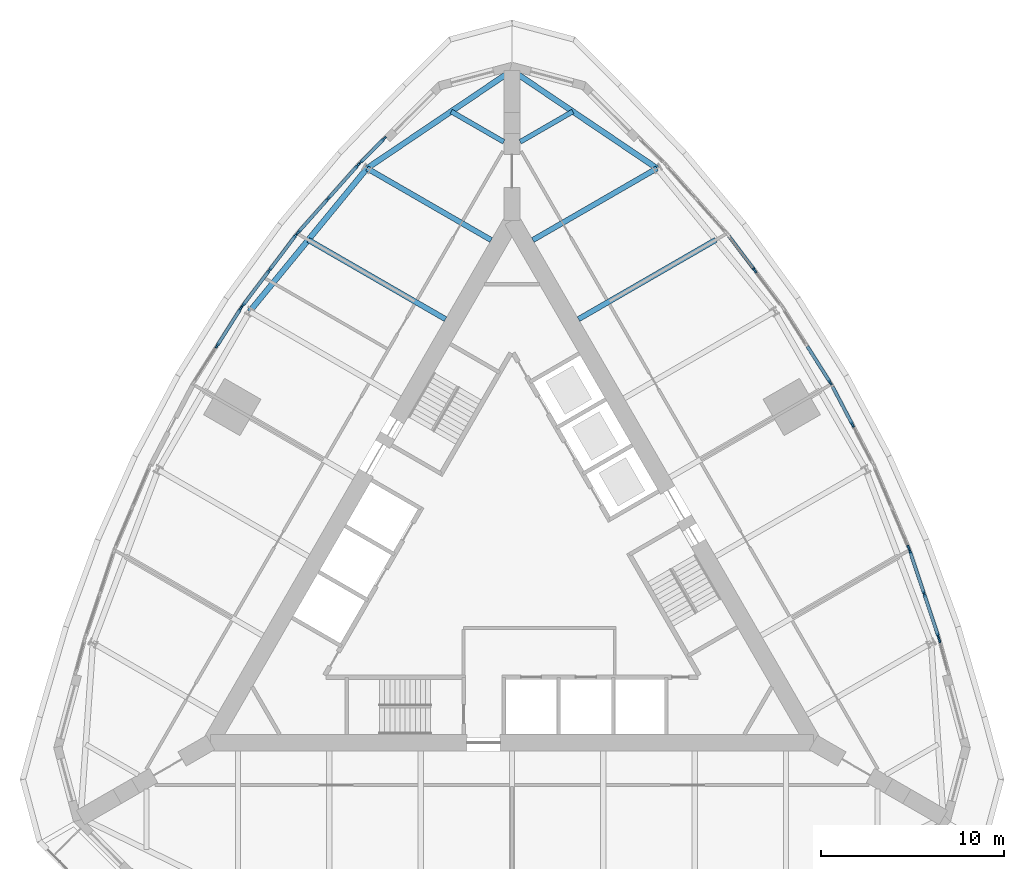
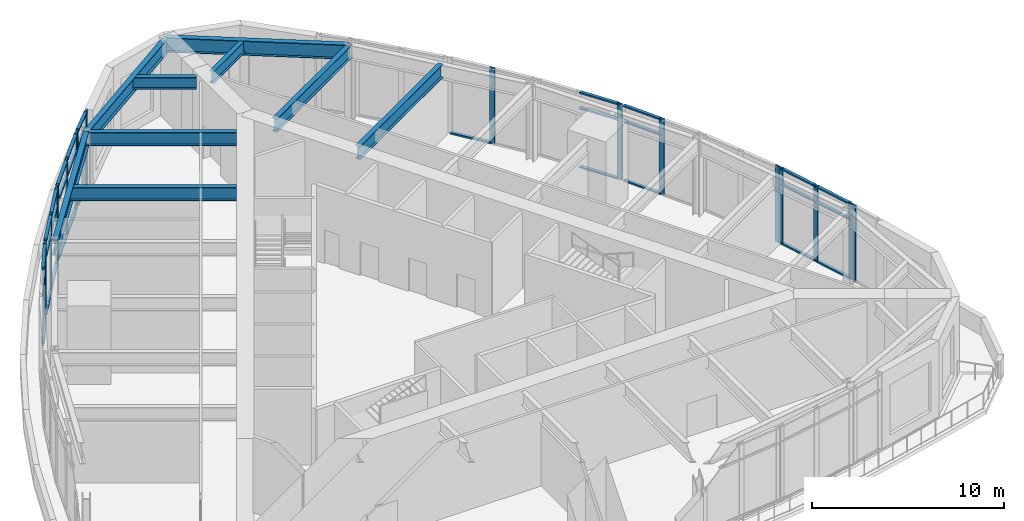
# One storey, part 4 of 13: 49 members, 9 beams, 10 elements without a shape of their own.
"""IFC4 building model written with IfcOpenShell, lengths in metres."""

import ifcopenshell
import ifcopenshell.guid

model = None  # the IFC model being written
_history = None  # IfcOwnerHistory: only IFC2X3 demands one
_inside = {}  # id of a spatial element -> (the spatial element, [elements in it])
_under = {}  # id of a project, library or spatial element -> (it, [spatial elements below it])
_declared = {}  # id of a project -> (the project, [libraries it declares])
_typed = {}  # id of a type object -> (the type object, [elements of that type])
_made_of = {}  # id of a material, layer set ... -> (it, [elements and type objects made of it])


def new_model(schema):
    """Start an empty IFC model of exactly this schema.

    Asked for "IFC4X3", IfcOpenShell would pick the latest addendum, in which some entities
    have other attributes; the version numbers below select the first issue.
    IFC2X3 requires an IfcOwnerHistory on every rooted entity: one is made here for all.
    """
    global model, _history
    if schema == "IFC4X3":
        model = ifcopenshell.file(schema_version=(4, 3, 0, 0))
    else:
        model = ifcopenshell.file(schema=schema)
    _inside.clear()
    _under.clear()
    _declared.clear()
    _typed.clear()
    _made_of.clear()
    _history = None
    if model.schema == "IFC2X3":
        org = make("IfcOrganization", Name="unknown")
        user = make(
            "IfcPersonAndOrganization",
            ThePerson=make("IfcPerson", FamilyName="unknown"),
            TheOrganization=org,
        )
        app = make(
            "IfcApplication",
            ApplicationDeveloper=org,
            Version="unknown",
            ApplicationFullName="unknown",
            ApplicationIdentifier="unknown",
        )
        _history = make(
            "IfcOwnerHistory",
            OwningUser=user,
            OwningApplication=app,
            ChangeAction="ADDED",
            CreationDate=0,
        )
    return model


def make(cls, **values):
    """One entity of the class cls with the attributes given. An attribute that is None is left unset."""
    return model.create_entity(
        cls, **{name: value for name, value in values.items() if value is not None}
    )


def rooted(cls, **values):
    """An entity with a GlobalId (a new one), such as an element, a storey or a relation."""
    return make(cls, GlobalId=ifcopenshell.guid.new(), OwnerHistory=_history, **values)


def si_unit(unit_type, name, prefix=None):
    """IfcSIUnit, for example si_unit("LENGTHUNIT", "METRE", prefix="MILLI")."""
    return make("IfcSIUnit", UnitType=unit_type, Prefix=prefix, Name=name)


def assignment(units):
    """IfcUnitAssignment: the units of a project."""
    return None if units is None else make("IfcUnitAssignment", Units=units)


def point(xyz):
    """IfcCartesianPoint."""
    return None if xyz is None else make("IfcCartesianPoint", Coordinates=xyz)


def direction(xyz):
    """IfcDirection."""
    return None if xyz is None else make("IfcDirection", DirectionRatios=xyz)


def frame(location, z_axis=None, x_axis=None):
    """IfcAxis2Placement3D, a coordinate frame: its origin and axes. An axis left out is left unset."""
    return make(
        "IfcAxis2Placement3D",
        Location=point(location),
        Axis=direction(z_axis),
        RefDirection=direction(x_axis),
    )


def frame_2d(location, x_axis=None):
    """IfcAxis2Placement2D, a coordinate frame in the plane: its origin and x axis."""
    return make(
        "IfcAxis2Placement2D", Location=point(location), RefDirection=direction(x_axis)
    )


def origin():
    """The frame at (0, 0, 0) with its axes left unset."""
    return frame((0.0, 0.0, 0.0))


def origin_2d():
    """The frame at (0, 0) in the plane with its x axis left unset."""
    return frame_2d((0.0, 0.0))


def place(relative_to, where):
    """IfcLocalPlacement: puts the frame where relative to a parent placement (None: the world)."""
    return make(
        "IfcLocalPlacement", PlacementRelTo=relative_to, RelativePlacement=where
    )


def context(
    kind, dimensions, precision=None, world=None, true_north=None, identifier=None
):
    """IfcGeometricRepresentationContext, for example the 3D "Model" context."""
    return make(
        "IfcGeometricRepresentationContext",
        ContextIdentifier=identifier,
        ContextType=kind,
        CoordinateSpaceDimension=dimensions,
        Precision=precision,
        WorldCoordinateSystem=world,
        TrueNorth=true_north,
    )


def subcontext(parent, identifier, kind, view, scale=None):
    """IfcGeometricRepresentationSubContext, for example "Body" below "Model"."""
    return make(
        "IfcGeometricRepresentationSubContext",
        ContextIdentifier=identifier,
        ContextType=kind,
        ParentContext=parent,
        TargetScale=scale,
        TargetView=view,
    )


def project(units=None, contexts=None):
    """IfcProject with its units and contexts."""
    return rooted(
        "IfcProject",
        Name="project",
        RepresentationContexts=contexts,
        UnitsInContext=assignment(units),
    )


def spatial(cls, under=None, at=None, **own):
    """A site, building, storey or space (cls), placed at a placement, below another one or the project."""
    s = rooted(cls, ObjectPlacement=at, **own)
    if under is not None:
        _under.setdefault(under.id(), (under, []))[1].append(s)
    return s


def profile(cls, at=None, kind="AREA", **sizes):
    """A parametric profile (cls). Its sizes go by their IFC names, for example OverallWidth=200.0."""
    return make(cls, ProfileType=kind, Position=at, **sizes)


def rectangle(**sizes):
    """IfcRectangleProfileDef."""
    return profile("IfcRectangleProfileDef", **sizes)


def i_section(**sizes):
    """IfcIShapeProfileDef."""
    return profile("IfcIShapeProfileDef", **sizes)


def extrude(swept, where, along, depth):
    """IfcExtrudedAreaSolid: the profile swept, set in the frame where, extruded along a direction by depth."""
    return make(
        "IfcExtrudedAreaSolid",
        SweptArea=swept,
        Position=where,
        ExtrudedDirection=direction(along),
        Depth=depth,
    )


def shape(context_of_items, identifier, shape_type, items):
    """IfcShapeRepresentation: the items that make up one representation, for example the "Body"."""
    return make(
        "IfcShapeRepresentation",
        ContextOfItems=context_of_items,
        RepresentationIdentifier=identifier,
        RepresentationType=shape_type,
        Items=items,
    )


def material(Name=None, Category=None):
    """IfcMaterial."""
    return make("IfcMaterial", Name=Name, Category=Category)


def material_profile(
    of_material, cross_section, Name=None, Category=None, Priority=None
):
    """IfcMaterialProfile: a cross section and its material."""
    return make(
        "IfcMaterialProfile",
        Name=Name,
        Material=of_material,
        Profile=cross_section,
        Priority=Priority,
        Category=Category,
    )


def profile_set(profiles, Name=None, composite=None):
    """IfcMaterialProfileSet."""
    return make(
        "IfcMaterialProfileSet",
        Name=Name,
        MaterialProfiles=profiles,
        CompositeProfile=composite,
    )


def made_of(thing, what):
    """Note that an element or type object is made of a material, layer set ...; save() writes the relation."""
    if what is not None:
        _made_of.setdefault(what.id(), (what, []))[1].append(thing)
    return thing


def type_object(cls, material=None, **own):
    """A type object (cls), such as IfcWallType, which elements share."""
    return made_of(rooted(cls, **own), material)


def element(
    cls,
    number,
    at=None,
    inside=None,
    cuts=None,
    type_object=None,
    material=None,
    context=None,
    identifier="Body",
    shape_type=None,
    held_by="IfcProductDefinitionShape",
    body=None,
    shapes=None,
    **own,
):
    """One element of the class cls, such as IfcWall. Its Tag is "e" and its number.

    at: its placement. inside: the storey or other place that contains it. cuts: it is an
    opening in that element (IfcRelVoidsElement). A single representation is given by context,
    identifier, shape_type and body (its items); several are given by shapes. held_by: the class
    of the entity that holds the representations. save() writes the other relations.
    """
    e = rooted(cls, Tag="e%d" % number, ObjectPlacement=at, **own)
    if body is not None:
        shapes = [shape(context, identifier, shape_type, body)]
    if shapes is not None:
        e.Representation = make(held_by, Representations=shapes)
    if inside is not None:
        _inside.setdefault(inside.id(), (inside, []))[1].append(e)
    if cuts is not None:
        rooted(
            "IfcRelVoidsElement", RelatingBuildingElement=cuts, RelatedOpeningElement=e
        )
    if type_object is not None:
        _typed.setdefault(type_object.id(), (type_object, []))[1].append(e)
    return made_of(e, material)


def aggregate(whole, parts):
    """IfcRelAggregates: a whole, such as a stair, and the parts it consists of."""
    return rooted("IfcRelAggregates", RelatingObject=whole, RelatedObjects=parts)


def save(model, path):
    """Write the relations noted so far, then the file.

    IfcRelAggregates (storeys below a building ...), IfcRelContainedInSpatialStructure (elements
    in a storey), IfcRelDefinesByType, IfcRelAssociatesMaterial and IfcRelDeclares: one each for
    every whole, place, type object, material and project.
    """
    for whole, parts in _under.values():
        aggregate(whole, parts)
    for where, things in _inside.values():
        rooted(
            "IfcRelContainedInSpatialStructure",
            RelatedElements=things,
            RelatingStructure=where,
        )
    for kind, things in _typed.values():
        rooted("IfcRelDefinesByType", RelatedObjects=things, RelatingType=kind)
    for what, things in _made_of.values():
        rooted("IfcRelAssociatesMaterial", RelatedObjects=things, RelatingMaterial=what)
    for by, libraries in _declared.values():
        rooted("IfcRelDeclares", RelatingContext=by, RelatedDefinitions=libraries)
    model.write(path)


model = new_model("IFC4")

# Units and contexts
model_context = context("Model", 3, precision=1e-05, world=origin(), true_north=direction((0.0, 1.0)))
body_context = subcontext(model_context, "Body", "Model", "MODEL_VIEW")
ifc_project = project(units=[si_unit("LENGTHUNIT", "METRE"), si_unit("AREAUNIT", "SQUARE_METRE"), si_unit("VOLUMEUNIT", "CUBIC_METRE"), si_unit("PLANEANGLEUNIT", "RADIAN"), si_unit("MASSUNIT", "GRAM", prefix="KILO")], contexts=[model_context])

# Site, building, storey
site_placement = place(None, origin())
site = spatial("IfcSite", under=ifc_project, at=site_placement, CompositionType="ELEMENT")
building_placement = place(site_placement, origin())
building = spatial("IfcBuilding", under=site, at=building_placement, Name="Trikona Tower", CompositionType="ELEMENT")
storey_placement = place(building_placement, frame((0.0, 0.0, 195.89990234375)))
storey = spatial("IfcBuildingStorey", under=building, at=storey_placement, Name="L52", CompositionType="ELEMENT", Elevation=195.89990234375)

# Curtain wall, member
ifc_material_1 = material(Name="Aluminium curtain wall system", Category="aluminium")
curtain_wall_type = type_object("IfcCurtainWallType", Name="Curtain wall SL", PredefinedType="NOTDEFINED", material=ifc_material_1)
curtain_wall_1_placement = place(storey_placement, origin())
curtain_wall_1 = element("IfcCurtainWall", 1, at=curtain_wall_1_placement, inside=storey, type_object=curtain_wall_type, Name="Curtain wall SL L52", PredefinedType="NOTDEFINED")
ifc_material_2 = material(Name="Aluminium mullion, pale anodised", Category="aluminium")
ifc_material_profile_1 = material_profile(ifc_material_2, rectangle(XDim=0.10009765625, YDim=0.300048828125, at=origin_2d()), Name="MUL-SL")
ifc_profile_set_1 = profile_set([ifc_material_profile_1], Name="Aluminium mullion, pale anodised")
member_type_1 = type_object("IfcMemberType", Name="Mullion SL 100x300", PredefinedType="MULLION", material=ifc_profile_set_1)
member_1_placement = place(storey_placement, frame((23.388916015625, -3.910400390625, 0.0), z_axis=(0.0, 0.0, 1.0), x_axis=(-0.964851419019, -0.262796003047, 0.0)))
member_1 = element("IfcMember", 2, at=member_1_placement, type_object=member_type_1, Name="CW-SL mullion 2", PredefinedType="MULLION", context=body_context, shape_type="SweptSolid", body=[
    extrude(rectangle(XDim=0.10009765625, YDim=0.300048828125, at=origin_2d()), origin(), (0.0, 0.0, 1.0), 4.835205078125),
])
aggregate(curtain_wall_1, [member_1])

# Curtain wall, members
curtain_wall_2_placement = place(storey_placement, origin())
curtain_wall_2 = element("IfcCurtainWall", 3, at=curtain_wall_2_placement, inside=storey, type_object=curtain_wall_type, Name="Curtain wall SL L52", PredefinedType="NOTDEFINED")
member_2_placement = place(storey_placement, frame((23.326904296875, -3.705078125, 0.0), z_axis=(0.0, 0.0, 1.0), x_axis=(-0.94905976774, -0.31509610797, 0.0)))
member_2 = element("IfcMember", 4, at=member_2_placement, type_object=member_type_1, Name="CW-SL mullion 1", PredefinedType="MULLION", context=body_context, shape_type="SweptSolid", body=[
    extrude(rectangle(XDim=0.10009765625, YDim=0.300048828125, at=origin_2d()), origin(), (0.0, 0.0, 1.0), 4.835205078125),
])
member_3_placement = place(storey_placement, frame((22.55712890625, -1.386962890625, 0.0), z_axis=(0.0, 0.0, 1.0), x_axis=(-0.94905976774, -0.31509610797, 0.0)))
member_3 = element("IfcMember", 5, at=member_3_placement, type_object=member_type_1, Name="CW-SL mullion 2", PredefinedType="MULLION", context=body_context, shape_type="SweptSolid", body=[
    extrude(rectangle(XDim=0.10009765625, YDim=0.300048828125, at=origin_2d()), origin(), (0.0, 0.0, 1.0), 4.835205078125),
])
member_4_placement = place(storey_placement, frame((21.78759765625, 0.930908203125, 0.0), z_axis=(0.0, 0.0, 1.0), x_axis=(-0.94905976774, -0.31509610797, 0.0)))
member_4 = element("IfcMember", 6, at=member_4_placement, type_object=member_type_1, Name="CW-SL mullion 3", PredefinedType="MULLION", context=body_context, shape_type="SweptSolid", body=[
    extrude(rectangle(XDim=0.10009765625, YDim=0.300048828125, at=origin_2d()), origin(), (0.0, 0.0, 1.0), 4.835205078125),
])

# Curtain wall, member
curtain_wall_3_placement = place(storey_placement, origin())
curtain_wall_3 = element("IfcCurtainWall", 7, at=curtain_wall_3_placement, inside=storey, type_object=curtain_wall_type, Name="Curtain wall SL L52", PredefinedType="NOTDEFINED")
member_5_placement = place(storey_placement, frame((21.712890625, 1.129150390625, 0.0), z_axis=(0.0, 0.0, 1.0), x_axis=(-0.920792322808, -0.390053199266, 0.0)))
member_5 = element("IfcMember", 8, at=member_5_placement, type_object=member_type_1, Name="CW-SL mullion 1", PredefinedType="MULLION", context=body_context, shape_type="SweptSolid", body=[
    extrude(rectangle(XDim=0.10009765625, YDim=0.300048828125, at=origin_2d()), origin(), (0.0, 0.0, 1.0), 4.835205078125),
])
aggregate(curtain_wall_3, [member_5])

curtain_wall_4_placement = place(storey_placement, origin())
curtain_wall_4 = element("IfcCurtainWall", 9, at=curtain_wall_4_placement, inside=storey, type_object=curtain_wall_type, Name="Curtain wall SL L52", PredefinedType="NOTDEFINED")
member_6_placement = place(storey_placement, frame((18.63330078125, 7.8759765625, 0.0), z_axis=(0.0, 0.0, 1.0), x_axis=(-0.885862390527, -0.463948084434, 0.0)))
member_6 = element("IfcMember", 10, at=member_6_placement, type_object=member_type_1, Name="CW-SL mullion 2", PredefinedType="MULLION", context=body_context, shape_type="SweptSolid", body=[
    extrude(rectangle(XDim=0.10009765625, YDim=0.300048828125, at=origin_2d()), origin(), (0.0, 0.0, 1.0), 4.835205078125),
])

curtain_wall_5_placement = place(storey_placement, origin())
curtain_wall_5 = element("IfcCurtainWall", 11, at=curtain_wall_5_placement, inside=storey, type_object=curtain_wall_type, Name="Curtain wall SL L52", PredefinedType="NOTDEFINED")
member_7_placement = place(storey_placement, frame((17.417724609375, 10.17822265625, 0.0), z_axis=(0.0, 0.0, 1.0), x_axis=(-0.84471787551, -0.535211837308, 0.0)))
member_7 = element("IfcMember", 12, at=member_7_placement, type_object=member_type_1, Name="CW-SL mullion 1", PredefinedType="MULLION", context=body_context, shape_type="SweptSolid", body=[
    extrude(rectangle(XDim=0.10009765625, YDim=0.300048828125, at=origin_2d()), origin(), (0.0, 0.0, 1.0), 4.835205078125),
])

curtain_wall_6_placement = place(storey_placement, origin())
curtain_wall_6 = element("IfcCurtainWall", 13, at=curtain_wall_6_placement, inside=storey, type_object=curtain_wall_type, Name="Curtain wall SL L52", PredefinedType="NOTDEFINED")
member_8_placement = place(storey_placement, frame((13.285400390625, 16.316650390625, 0.0), z_axis=(0.0, 0.0, 1.0), x_axis=(-0.798193208724, -0.602401528506, 0.0)))
member_8 = element("IfcMember", 14, at=member_8_placement, type_object=member_type_1, Name="CW-SL mullion 2", PredefinedType="MULLION", context=body_context, shape_type="SweptSolid", body=[
    extrude(rectangle(XDim=0.10009765625, YDim=0.300048828125, at=origin_2d()), origin(), (0.0, 0.0, 1.0), 4.835205078125),
])

# Curtain wall, members
curtain_wall_7_placement = place(storey_placement, origin())
curtain_wall_7 = element("IfcCurtainWall", 15, at=curtain_wall_7_placement, inside=storey, type_object=curtain_wall_type, Name="Curtain wall SL L52", PredefinedType="NOTDEFINED")
member_9_placement = place(storey_placement, frame((-7.00634765625, 23.52294921875, 0.0), z_axis=(0.0, 0.0, 1.0), x_axis=(0.710051900554, -0.704149343903, 0.0)))
member_9 = element("IfcMember", 16, at=member_9_placement, type_object=member_type_1, Name="CW-SL mullion 1", PredefinedType="MULLION", context=body_context, shape_type="SweptSolid", body=[
    extrude(rectangle(XDim=0.10009765625, YDim=0.300048828125, at=origin_2d()), origin(), (0.0, 0.0, 1.0), 4.835205078125),
])
member_10_placement = place(storey_placement, frame((-8.307861328125, 22.21044921875, 0.0), z_axis=(0.0, 0.0, 1.0), x_axis=(0.710051900554, -0.704149343903, 0.0)))
member_10 = element("IfcMember", 17, at=member_10_placement, type_object=member_type_1, Name="CW-SL mullion 2", PredefinedType="MULLION", context=body_context, shape_type="SweptSolid", body=[
    extrude(rectangle(XDim=0.10009765625, YDim=0.300048828125, at=origin_2d()), origin(), (0.0, 0.0, 1.0), 4.835205078125),
])

curtain_wall_8_placement = place(storey_placement, origin())
curtain_wall_8 = element("IfcCurtainWall", 18, at=curtain_wall_8_placement, inside=storey, type_object=curtain_wall_type, Name="Curtain wall SL L52", PredefinedType="NOTDEFINED")
member_11_placement = place(storey_placement, frame((-8.454833984375, 22.05419921875, 0.0), z_axis=(0.0, 0.0, 1.0), x_axis=(0.747402677853, -0.664371309689, 0.0)))
member_11 = element("IfcMember", 19, at=member_11_placement, type_object=member_type_1, Name="CW-SL mullion 1", PredefinedType="MULLION", context=body_context, shape_type="SweptSolid", body=[
    extrude(rectangle(XDim=0.10009765625, YDim=0.300048828125, at=origin_2d()), origin(), (0.0, 0.0, 1.0), 4.835205078125),
])
member_12_placement = place(storey_placement, frame((-10.077392578125, 20.228759765625, 0.0), z_axis=(0.0, 0.0, 1.0), x_axis=(0.747402677853, -0.664371309689, 0.0)))
member_12 = element("IfcMember", 20, at=member_12_placement, type_object=member_type_1, Name="CW-SL mullion 2", PredefinedType="MULLION", context=body_context, shape_type="SweptSolid", body=[
    extrude(rectangle(XDim=0.10009765625, YDim=0.300048828125, at=origin_2d()), origin(), (0.0, 0.0, 1.0), 4.835205078125),
])
member_13_placement = place(storey_placement, frame((-11.7001953125, 18.403076171875, 0.0), z_axis=(0.0, 0.0, 1.0), x_axis=(0.747402677853, -0.664371309689, 0.0)))
member_13 = element("IfcMember", 21, at=member_13_placement, type_object=member_type_1, Name="CW-SL mullion 3", PredefinedType="MULLION", context=body_context, shape_type="SweptSolid", body=[
    extrude(rectangle(XDim=0.10009765625, YDim=0.300048828125, at=origin_2d()), origin(), (0.0, 0.0, 1.0), 4.835205078125),
])

curtain_wall_9_placement = place(storey_placement, origin())
curtain_wall_9 = element("IfcCurtainWall", 22, at=curtain_wall_9_placement, inside=storey, type_object=curtain_wall_type, Name="Curtain wall SL L52", PredefinedType="NOTDEFINED")
member_14_placement = place(storey_placement, frame((-11.834228515625, 18.239501953125, 0.0), z_axis=(0.0, 0.0, 1.0), x_axis=(0.798193208724, -0.602401528506, 0.0)))
member_14 = element("IfcMember", 23, at=member_14_placement, type_object=member_type_1, Name="CW-SL mullion 1", PredefinedType="MULLION", context=body_context, shape_type="SweptSolid", body=[
    extrude(rectangle(XDim=0.10009765625, YDim=0.300048828125, at=origin_2d()), origin(), (0.0, 0.0, 1.0), 4.835205078125),
])
member_15_placement = place(storey_placement, frame((-13.285400390625, 16.316650390625, 0.0), z_axis=(0.0, 0.0, 1.0), x_axis=(0.798193208724, -0.602401528506, 0.0)))
member_15 = element("IfcMember", 24, at=member_15_placement, type_object=member_type_1, Name="CW-SL mullion 2", PredefinedType="MULLION", context=body_context, shape_type="SweptSolid", body=[
    extrude(rectangle(XDim=0.10009765625, YDim=0.300048828125, at=origin_2d()), origin(), (0.0, 0.0, 1.0), 4.835205078125),
])
member_16_placement = place(storey_placement, frame((-14.736572265625, 14.393798828125, 0.0), z_axis=(0.0, 0.0, 1.0), x_axis=(0.798193208724, -0.602401528506, 0.0)))
member_16 = element("IfcMember", 25, at=member_16_placement, type_object=member_type_1, Name="CW-SL mullion 3", PredefinedType="MULLION", context=body_context, shape_type="SweptSolid", body=[
    extrude(rectangle(XDim=0.10009765625, YDim=0.300048828125, at=origin_2d()), origin(), (0.0, 0.0, 1.0), 4.835205078125),
])

curtain_wall_10_placement = place(storey_placement, origin())
curtain_wall_10 = element("IfcCurtainWall", 26, at=curtain_wall_10_placement, inside=storey, type_object=curtain_wall_type, Name="Curtain wall SL L52", PredefinedType="NOTDEFINED")
member_17_placement = place(storey_placement, frame((-14.857177734375, 14.2197265625, 0.0), z_axis=(0.0, 0.0, 1.0), x_axis=(0.84471787551, -0.535211837308, 0.0)))
member_17 = element("IfcMember", 27, at=member_17_placement, type_object=member_type_1, Name="CW-SL mullion 1", PredefinedType="MULLION", context=body_context, shape_type="SweptSolid", body=[
    extrude(rectangle(XDim=0.10009765625, YDim=0.300048828125, at=origin_2d()), origin(), (0.0, 0.0, 1.0), 4.835205078125),
])
member_18_placement = place(storey_placement, frame((-16.137451171875, 12.198974609375, 0.0), z_axis=(0.0, 0.0, 1.0), x_axis=(0.84471787551, -0.535211837308, 0.0)))
member_18 = element("IfcMember", 28, at=member_18_placement, type_object=member_type_1, Name="CW-SL mullion 2", PredefinedType="MULLION", context=body_context, shape_type="SweptSolid", body=[
    extrude(rectangle(XDim=0.10009765625, YDim=0.300048828125, at=origin_2d()), origin(), (0.0, 0.0, 1.0), 4.835205078125),
])

# Beams
ifc_material_3 = material(Name="Steel ASTM A992 Grade 50", Category="steel")
ifc_material_profile_2 = material_profile(ifc_material_3, i_section(OverallWidth=0.2666015625, OverallDepth=0.76953125, WebThickness=0.015625, FlangeThickness=0.025390625, at=origin_2d()), Name="W30X132")
ifc_profile_set_2 = profile_set([ifc_material_profile_2], Name="Steel ASTM A992 Grade 50")
beam_type_1 = type_object("IfcBeamType", Name="Steel beam W30x132 (wedge)", PredefinedType="BEAM", material=ifc_profile_set_2)
for number, where, z_axis, x_axis, name in (
    (29, (0.449951171875, 23.353759765625, 4.4501953125), (0.866019199568, 0.500010745865, 0.0), (-0.500010745865, 0.866019199568, 0.0), "Floor beam L53 F2 u20"),
    (30, (-0.449951171875, 23.353759765625, 4.4501953125), (-0.866019199568, 0.500010745865, 0.0), (-0.500010745865, -0.866019199568, 0.0), "Floor beam L53 F3 u-20"),
):
    element("IfcBeam", number, at=place(storey_placement, frame(where, z_axis=z_axis, x_axis=x_axis)), inside=storey, type_object=beam_type_1, Name=name, PredefinedType="BEAM", context=body_context, shape_type="SweptSolid", body=[
        extrude(i_section(OverallWidth=0.2666015625, OverallDepth=0.76953125, WebThickness=0.015625, FlangeThickness=0.025390625, at=origin_2d()), origin(), (0.0, 0.0, 1.0), 3.3232421875),
    ])
ifc_material_4 = material(Name="Steel ASTM A992 Grade 50", Category="steel")
ifc_material_profile_3 = material_profile(ifc_material_4, i_section(OverallWidth=0.2919921875, OverallDepth=0.845703125, WebThickness=0.015380859375, FlangeThickness=0.0244140625, at=origin_2d()), Name="W33X141")
ifc_profile_set_3 = profile_set([ifc_material_profile_3], Name="Steel ASTM A992 Grade 50")
beam_type_2 = type_object("IfcBeamType", Name="Steel beam W33x141 (radial typ)", PredefinedType="BEAM", material=ifc_profile_set_3)
beam_1_placement = place(storey_placement, frame((3.6396484375, 13.6484375, 4.412109375), z_axis=(0.866018686634, 0.500011634266, 0.0), x_axis=(-0.500011634266, 0.866018686634, 0.0)))
element("IfcBeam", 31, at=beam_1_placement, inside=storey, type_object=beam_type_2, Name="Floor beam L53 F2 u10", PredefinedType="BEAM", context=body_context, shape_type="SweptSolid", body=[
    extrude(i_section(OverallWidth=0.2919921875, OverallDepth=0.845703125, WebThickness=0.015380859375, FlangeThickness=0.0244140625, at=origin_2d()), origin(), (0.0, 0.0, 1.0), 8.672119140625),
])
for number, where, z_axis, x_axis, name in (
    (32, (1.1396484375, 17.978515625, 4.412109375), (0.866025522914, 0.499999793661, 0.0), (-0.499999793661, 0.866025522914, 0.0), "Floor beam L53 F2 u15"),
    (33, (-1.1396484375, 17.978515625, 4.412109375), (-0.866025522914, 0.499999793661, 0.0), (-0.499999793661, -0.866025522914, 0.0), "Floor beam L53 F3 u-15"),
):
    element("IfcBeam", number, at=place(storey_placement, frame(where, z_axis=z_axis, x_axis=x_axis)), inside=storey, type_object=beam_type_2, Name=name, PredefinedType="BEAM", context=body_context, shape_type="SweptSolid", body=[
        extrude(i_section(OverallWidth=0.2919921875, OverallDepth=0.845703125, WebThickness=0.015380859375, FlangeThickness=0.0244140625, at=origin_2d()), origin(), (0.0, 0.0, 1.0), 7.8486328125),
    ])
beam_2_placement = place(storey_placement, frame((-3.6396484375, 13.6484375, 4.412109375), z_axis=(-0.866018686634, 0.500011634266, 0.0), x_axis=(-0.500011634266, -0.866018686634, 0.0)))
element("IfcBeam", 34, at=beam_2_placement, inside=storey, type_object=beam_type_2, Name="Floor beam L53 F3 u-10", PredefinedType="BEAM", context=body_context, shape_type="SweptSolid", body=[
    extrude(i_section(OverallWidth=0.2919921875, OverallDepth=0.845703125, WebThickness=0.015380859375, FlangeThickness=0.0244140625, at=origin_2d()), origin(), (0.0, 0.0, 1.0), 8.672119140625),
])
ifc_material_5 = material(Name="Steel ASTM A992 Grade 50", Category="steel")
ifc_material_profile_4 = material_profile(ifc_material_5, i_section(OverallWidth=0.307373046875, OverallDepth=0.922119140625, WebThickness=0.018310546875, FlangeThickness=0.030029296875, at=origin_2d()), Name="W36X182")
ifc_profile_set_4 = profile_set([ifc_material_profile_4], Name="Steel ASTM A992 Grade 50")
beam_type_3 = type_object("IfcBeamType", Name="Steel beam W36x182 (spandrel mid)", PredefinedType="SPANDREL", material=ifc_profile_set_4)
for number, where, z_axis, x_axis, name in (
    (35, (7.936767578125, 21.90283203125, 4.3740234375), (-0.828725418029, 0.55965541319, 0.0), (-0.55965541319, -0.828725418029, 0.0), "Spandrel beam L53 F2-5"),
    (36, (0.0, 27.2626953125, 4.3740234375), (-0.828725418029, -0.55965541319, 0.0), (0.55965541319, -0.828725418029, 0.0), "Spandrel beam L53 F3-1"),
):
    element("IfcBeam", number, at=place(storey_placement, frame(where, z_axis=z_axis, x_axis=x_axis)), inside=storey, type_object=beam_type_3, Name=name, PredefinedType="SPANDREL", context=body_context, shape_type="SweptSolid", body=[
        extrude(i_section(OverallWidth=0.307373046875, OverallDepth=0.922119140625, WebThickness=0.018310546875, FlangeThickness=0.030029296875, at=origin_2d()), origin(), (0.0, 0.0, 1.0), 9.5771484375),
    ])
beam_3_placement = place(storey_placement, frame((-7.936767578125, 21.90283203125, 4.3740234375), z_axis=(-0.634105803308, -0.77324629337, 0.0), x_axis=(0.77324629337, -0.634105803308, 0.0)))
element("IfcBeam", 37, at=beam_3_placement, inside=storey, type_object=beam_type_3, Name="Spandrel beam L53 F3-2", PredefinedType="SPANDREL", context=body_context, shape_type="SweptSolid", body=[
    extrude(i_section(OverallWidth=0.307373046875, OverallDepth=0.922119140625, WebThickness=0.018310546875, FlangeThickness=0.030029296875, at=origin_2d()), origin(), (0.0, 0.0, 1.0), 10.134765625),
])

# Member
ifc_material_6 = material(Name="Aluminium transom, pale anodised", Category="aluminium")
ifc_material_profile_5 = material_profile(ifc_material_6, rectangle(XDim=0.179931640625, YDim=0.10009765625, at=origin_2d()), Name="TRN-SL")
ifc_profile_set_5 = profile_set([ifc_material_profile_5], Name="Aluminium transom, pale anodised")
member_type_2 = type_object("IfcMemberType", Name="Transom SL 100x180", PredefinedType="USERDEFINED", material=ifc_profile_set_5)
member_19_placement = place(storey_placement, frame((23.31103515625, -3.65771484375, 0.050048828125), z_axis=(-0.315070639024, 0.949068223272, 0.0), x_axis=(-0.949068223272, -0.315070639024, 0.0)))
member_19 = element("IfcMember", 38, at=member_19_placement, type_object=member_type_2, Name="CW-SL transom 1.1", ObjectType="TRANSOM", PredefinedType="USERDEFINED", context=body_context, shape_type="SweptSolid", body=[
    extrude(rectangle(XDim=0.179931640625, YDim=0.10009765625, at=origin_2d()), origin(), (0.0, 0.0, 1.0), 2.342529296875),
])

member_20_placement = place(storey_placement, frame((23.31103515625, -3.65771484375, 3.800048828125), z_axis=(-0.315070639024, 0.949068223272, 0.0), x_axis=(-0.949068223272, -0.315070639024, 0.0)))
member_20 = element("IfcMember", 39, at=member_20_placement, type_object=member_type_2, Name="CW-SL transom 1.2", ObjectType="TRANSOM", PredefinedType="USERDEFINED", context=body_context, shape_type="SweptSolid", body=[
    extrude(rectangle(XDim=0.179931640625, YDim=0.10009765625, at=origin_2d()), origin(), (0.0, 0.0, 1.0), 2.342529296875),
])

member_21_placement = place(storey_placement, frame((23.31103515625, -3.65771484375, 4.78515625), z_axis=(-0.315070639024, 0.949068223272, 0.0), x_axis=(-0.949068223272, -0.315070639024, 0.0)))
member_21 = element("IfcMember", 40, at=member_21_placement, type_object=member_type_2, Name="CW-SL transom 1.3", ObjectType="TRANSOM", PredefinedType="USERDEFINED", context=body_context, shape_type="SweptSolid", body=[
    extrude(rectangle(XDim=0.179931640625, YDim=0.10009765625, at=origin_2d()), origin(), (0.0, 0.0, 1.0), 2.342529296875),
])

member_22_placement = place(storey_placement, frame((22.54150390625, -1.339599609375, 0.050048828125), z_axis=(-0.315070639024, 0.949068223272, 0.0), x_axis=(-0.949068223272, -0.315070639024, 0.0)))
member_22 = element("IfcMember", 41, at=member_22_placement, type_object=member_type_2, Name="CW-SL transom 2.1", ObjectType="TRANSOM", PredefinedType="USERDEFINED", context=body_context, shape_type="SweptSolid", body=[
    extrude(rectangle(XDim=0.179931640625, YDim=0.10009765625, at=origin_2d()), origin(), (0.0, 0.0, 1.0), 2.342529296875),
])

member_23_placement = place(storey_placement, frame((22.54150390625, -1.339599609375, 3.800048828125), z_axis=(-0.315070639024, 0.949068223272, 0.0), x_axis=(-0.949068223272, -0.315070639024, 0.0)))
member_23 = element("IfcMember", 42, at=member_23_placement, type_object=member_type_2, Name="CW-SL transom 2.2", ObjectType="TRANSOM", PredefinedType="USERDEFINED", context=body_context, shape_type="SweptSolid", body=[
    extrude(rectangle(XDim=0.179931640625, YDim=0.10009765625, at=origin_2d()), origin(), (0.0, 0.0, 1.0), 2.342529296875),
])

member_24_placement = place(storey_placement, frame((22.54150390625, -1.339599609375, 4.78515625), z_axis=(-0.315070639024, 0.949068223272, 0.0), x_axis=(-0.949068223272, -0.315070639024, 0.0)))
member_24 = element("IfcMember", 43, at=member_24_placement, type_object=member_type_2, Name="CW-SL transom 2.3", ObjectType="TRANSOM", PredefinedType="USERDEFINED", context=body_context, shape_type="SweptSolid", body=[
    extrude(rectangle(XDim=0.179931640625, YDim=0.10009765625, at=origin_2d()), origin(), (0.0, 0.0, 1.0), 2.342529296875),
])

aggregate(curtain_wall_2, [member_2, member_3, member_4, member_19, member_20, member_21, member_22, member_23, member_24])

member_25_placement = place(storey_placement, frame((18.610107421875, 7.92041015625, 0.050048828125), z_axis=(-0.463879624876, 0.885898241123, 0.0), x_axis=(-0.885898241123, -0.463879624876, 0.0)))
member_25 = element("IfcMember", 44, at=member_25_placement, type_object=member_type_2, Name="CW-SL transom 2.1", ObjectType="TRANSOM", PredefinedType="USERDEFINED", context=body_context, shape_type="SweptSolid", body=[
    extrude(rectangle(XDim=0.179931640625, YDim=0.10009765625, at=origin_2d()), origin(), (0.0, 0.0, 1.0), 2.2919921875),
])

member_26_placement = place(storey_placement, frame((18.610107421875, 7.92041015625, 3.800048828125), z_axis=(-0.463879624876, 0.885898241123, 0.0), x_axis=(-0.885898241123, -0.463879624876, 0.0)))
member_26 = element("IfcMember", 45, at=member_26_placement, type_object=member_type_2, Name="CW-SL transom 2.2", ObjectType="TRANSOM", PredefinedType="USERDEFINED", context=body_context, shape_type="SweptSolid", body=[
    extrude(rectangle(XDim=0.179931640625, YDim=0.10009765625, at=origin_2d()), origin(), (0.0, 0.0, 1.0), 2.2919921875),
])

member_27_placement = place(storey_placement, frame((18.610107421875, 7.92041015625, 4.78515625), z_axis=(-0.463879624876, 0.885898241123, 0.0), x_axis=(-0.885898241123, -0.463879624876, 0.0)))
member_27 = element("IfcMember", 46, at=member_27_placement, type_object=member_type_2, Name="CW-SL transom 2.3", ObjectType="TRANSOM", PredefinedType="USERDEFINED", context=body_context, shape_type="SweptSolid", body=[
    extrude(rectangle(XDim=0.179931640625, YDim=0.10009765625, at=origin_2d()), origin(), (0.0, 0.0, 1.0), 2.2919921875),
])

aggregate(curtain_wall_4, [member_6, member_25, member_26, member_27])

member_28_placement = place(storey_placement, frame((17.390869140625, 10.220458984375, 0.050048828125), z_axis=(-0.535130634633, 0.844769319919, 0.0), x_axis=(-0.844769319919, -0.535130634633, 0.0)))
member_28 = element("IfcMember", 47, at=member_28_placement, type_object=member_type_2, Name="CW-SL transom 1.1", ObjectType="TRANSOM", PredefinedType="USERDEFINED", context=body_context, shape_type="SweptSolid", body=[
    extrude(rectangle(XDim=0.179931640625, YDim=0.10009765625, at=origin_2d()), origin(), (0.0, 0.0, 1.0), 2.2919921875),
])

member_29_placement = place(storey_placement, frame((17.390869140625, 10.220458984375, 3.800048828125), z_axis=(-0.535130634633, 0.844769319919, 0.0), x_axis=(-0.844769319919, -0.535130634633, 0.0)))
member_29 = element("IfcMember", 48, at=member_29_placement, type_object=member_type_2, Name="CW-SL transom 1.2", ObjectType="TRANSOM", PredefinedType="USERDEFINED", context=body_context, shape_type="SweptSolid", body=[
    extrude(rectangle(XDim=0.179931640625, YDim=0.10009765625, at=origin_2d()), origin(), (0.0, 0.0, 1.0), 2.2919921875),
])

member_30_placement = place(storey_placement, frame((17.390869140625, 10.220458984375, 4.78515625), z_axis=(-0.535130634633, 0.844769319919, 0.0), x_axis=(-0.844769319919, -0.535130634633, 0.0)))
member_30 = element("IfcMember", 49, at=member_30_placement, type_object=member_type_2, Name="CW-SL transom 1.3", ObjectType="TRANSOM", PredefinedType="USERDEFINED", context=body_context, shape_type="SweptSolid", body=[
    extrude(rectangle(XDim=0.179931640625, YDim=0.10009765625, at=origin_2d()), origin(), (0.0, 0.0, 1.0), 2.2919921875),
])

aggregate(curtain_wall_5, [member_7, member_28, member_29, member_30])

member_31_placement = place(storey_placement, frame((13.25537109375, 16.3564453125, 0.050048828125), z_axis=(-0.602382755717, 0.798207376322, 0.0), x_axis=(-0.798207376322, -0.602382755717, 0.0)))
member_31 = element("IfcMember", 50, at=member_31_placement, type_object=member_type_2, Name="CW-SL transom 2.1", ObjectType="TRANSOM", PredefinedType="USERDEFINED", context=body_context, shape_type="SweptSolid", body=[
    extrude(rectangle(XDim=0.179931640625, YDim=0.10009765625, at=origin_2d()), origin(), (0.0, 0.0, 1.0), 2.308837890625),
])

aggregate(curtain_wall_6, [member_8, member_31])

member_32_placement = place(storey_placement, frame((-7.04150390625, 23.4873046875, 0.050048828125), z_axis=(-0.704238229127, -0.709963743185, 0.0), x_axis=(0.709963743185, -0.704238229127, 0.0)))
member_32 = element("IfcMember", 51, at=member_32_placement, type_object=member_type_2, Name="CW-SL transom 1.1", ObjectType="TRANSOM", PredefinedType="USERDEFINED", context=body_context, shape_type="SweptSolid", body=[
    extrude(rectangle(XDim=0.179931640625, YDim=0.10009765625, at=origin_2d()), origin(), (0.0, 0.0, 1.0), 1.748291015625),
])

member_33_placement = place(storey_placement, frame((-7.04150390625, 23.4873046875, 3.800048828125), z_axis=(-0.704238229127, -0.709963743185, 0.0), x_axis=(0.709963743185, -0.704238229127, 0.0)))
member_33 = element("IfcMember", 52, at=member_33_placement, type_object=member_type_2, Name="CW-SL transom 1.2", ObjectType="TRANSOM", PredefinedType="USERDEFINED", context=body_context, shape_type="SweptSolid", body=[
    extrude(rectangle(XDim=0.179931640625, YDim=0.10009765625, at=origin_2d()), origin(), (0.0, 0.0, 1.0), 1.748291015625),
])

member_34_placement = place(storey_placement, frame((-7.04150390625, 23.4873046875, 4.78515625), z_axis=(-0.704238229127, -0.709963743185, 0.0), x_axis=(0.709963743185, -0.704238229127, 0.0)))
member_34 = element("IfcMember", 53, at=member_34_placement, type_object=member_type_2, Name="CW-SL transom 1.3", ObjectType="TRANSOM", PredefinedType="USERDEFINED", context=body_context, shape_type="SweptSolid", body=[
    extrude(rectangle(XDim=0.179931640625, YDim=0.10009765625, at=origin_2d()), origin(), (0.0, 0.0, 1.0), 1.748291015625),
])

aggregate(curtain_wall_7, [member_9, member_10, member_32, member_33, member_34])

member_35_placement = place(storey_placement, frame((-8.488037109375, 22.016845703125, 0.050048828125), z_axis=(-0.66435090005, -0.747420819621, 0.0), x_axis=(0.747420819621, -0.66435090005, 0.0)))
member_35 = element("IfcMember", 54, at=member_35_placement, type_object=member_type_2, Name="CW-SL transom 1.1", ObjectType="TRANSOM", PredefinedType="USERDEFINED", context=body_context, shape_type="SweptSolid", body=[
    extrude(rectangle(XDim=0.179931640625, YDim=0.10009765625, at=origin_2d()), origin(), (0.0, 0.0, 1.0), 2.34228515625),
])

member_36_placement = place(storey_placement, frame((-8.488037109375, 22.016845703125, 3.800048828125), z_axis=(-0.66435090005, -0.747420819621, 0.0), x_axis=(0.747420819621, -0.66435090005, 0.0)))
member_36 = element("IfcMember", 55, at=member_36_placement, type_object=member_type_2, Name="CW-SL transom 1.2", ObjectType="TRANSOM", PredefinedType="USERDEFINED", context=body_context, shape_type="SweptSolid", body=[
    extrude(rectangle(XDim=0.179931640625, YDim=0.10009765625, at=origin_2d()), origin(), (0.0, 0.0, 1.0), 2.34228515625),
])

member_37_placement = place(storey_placement, frame((-8.488037109375, 22.016845703125, 4.78515625), z_axis=(-0.66435090005, -0.747420819621, 0.0), x_axis=(0.747420819621, -0.66435090005, 0.0)))
member_37 = element("IfcMember", 56, at=member_37_placement, type_object=member_type_2, Name="CW-SL transom 1.3", ObjectType="TRANSOM", PredefinedType="USERDEFINED", context=body_context, shape_type="SweptSolid", body=[
    extrude(rectangle(XDim=0.179931640625, YDim=0.10009765625, at=origin_2d()), origin(), (0.0, 0.0, 1.0), 2.34228515625),
])

member_38_placement = place(storey_placement, frame((-10.110595703125, 20.191162109375, 0.050048828125), z_axis=(-0.66435090005, -0.747420819621, 0.0), x_axis=(0.747420819621, -0.66435090005, 0.0)))
member_38 = element("IfcMember", 57, at=member_38_placement, type_object=member_type_2, Name="CW-SL transom 2.1", ObjectType="TRANSOM", PredefinedType="USERDEFINED", context=body_context, shape_type="SweptSolid", body=[
    extrude(rectangle(XDim=0.179931640625, YDim=0.10009765625, at=origin_2d()), origin(), (0.0, 0.0, 1.0), 2.34228515625),
])

member_39_placement = place(storey_placement, frame((-10.110595703125, 20.191162109375, 3.800048828125), z_axis=(-0.66435090005, -0.747420819621, 0.0), x_axis=(0.747420819621, -0.66435090005, 0.0)))
member_39 = element("IfcMember", 58, at=member_39_placement, type_object=member_type_2, Name="CW-SL transom 2.2", ObjectType="TRANSOM", PredefinedType="USERDEFINED", context=body_context, shape_type="SweptSolid", body=[
    extrude(rectangle(XDim=0.179931640625, YDim=0.10009765625, at=origin_2d()), origin(), (0.0, 0.0, 1.0), 2.34228515625),
])

member_40_placement = place(storey_placement, frame((-10.110595703125, 20.191162109375, 4.78515625), z_axis=(-0.66435090005, -0.747420819621, 0.0), x_axis=(0.747420819621, -0.66435090005, 0.0)))
member_40 = element("IfcMember", 59, at=member_40_placement, type_object=member_type_2, Name="CW-SL transom 2.3", ObjectType="TRANSOM", PredefinedType="USERDEFINED", context=body_context, shape_type="SweptSolid", body=[
    extrude(rectangle(XDim=0.179931640625, YDim=0.10009765625, at=origin_2d()), origin(), (0.0, 0.0, 1.0), 2.34228515625),
])

aggregate(curtain_wall_8, [member_11, member_12, member_13, member_35, member_36, member_37, member_38, member_39, member_40])

member_41_placement = place(storey_placement, frame((-11.864501953125, 18.199462890625, 0.050048828125), z_axis=(-0.602382755717, -0.798207376322, 0.0), x_axis=(0.798207376322, -0.602382755717, 0.0)))
member_41 = element("IfcMember", 60, at=member_41_placement, type_object=member_type_2, Name="CW-SL transom 1.1", ObjectType="TRANSOM", PredefinedType="USERDEFINED", context=body_context, shape_type="SweptSolid", body=[
    extrude(rectangle(XDim=0.179931640625, YDim=0.10009765625, at=origin_2d()), origin(), (0.0, 0.0, 1.0), 2.308837890625),
])

member_42_placement = place(storey_placement, frame((-11.864501953125, 18.199462890625, 3.800048828125), z_axis=(-0.602382755717, -0.798207376322, 0.0), x_axis=(0.798207376322, -0.602382755717, 0.0)))
member_42 = element("IfcMember", 61, at=member_42_placement, type_object=member_type_2, Name="CW-SL transom 1.2", ObjectType="TRANSOM", PredefinedType="USERDEFINED", context=body_context, shape_type="SweptSolid", body=[
    extrude(rectangle(XDim=0.179931640625, YDim=0.10009765625, at=origin_2d()), origin(), (0.0, 0.0, 1.0), 2.308837890625),
])

member_43_placement = place(storey_placement, frame((-11.864501953125, 18.199462890625, 4.78515625), z_axis=(-0.602382755717, -0.798207376322, 0.0), x_axis=(0.798207376322, -0.602382755717, 0.0)))
member_43 = element("IfcMember", 62, at=member_43_placement, type_object=member_type_2, Name="CW-SL transom 1.3", ObjectType="TRANSOM", PredefinedType="USERDEFINED", context=body_context, shape_type="SweptSolid", body=[
    extrude(rectangle(XDim=0.179931640625, YDim=0.10009765625, at=origin_2d()), origin(), (0.0, 0.0, 1.0), 2.308837890625),
])

member_44_placement = place(storey_placement, frame((-13.315673828125, 16.276611328125, 0.050048828125), z_axis=(-0.602382755717, -0.798207376322, 0.0), x_axis=(0.798207376322, -0.602382755717, 0.0)))
member_44 = element("IfcMember", 63, at=member_44_placement, type_object=member_type_2, Name="CW-SL transom 2.1", ObjectType="TRANSOM", PredefinedType="USERDEFINED", context=body_context, shape_type="SweptSolid", body=[
    extrude(rectangle(XDim=0.179931640625, YDim=0.10009765625, at=origin_2d()), origin(), (0.0, 0.0, 1.0), 2.308837890625),
])

member_45_placement = place(storey_placement, frame((-13.315673828125, 16.276611328125, 3.800048828125), z_axis=(-0.602382755717, -0.798207376322, 0.0), x_axis=(0.798207376322, -0.602382755717, 0.0)))
member_45 = element("IfcMember", 64, at=member_45_placement, type_object=member_type_2, Name="CW-SL transom 2.2", ObjectType="TRANSOM", PredefinedType="USERDEFINED", context=body_context, shape_type="SweptSolid", body=[
    extrude(rectangle(XDim=0.179931640625, YDim=0.10009765625, at=origin_2d()), origin(), (0.0, 0.0, 1.0), 2.308837890625),
])

member_46_placement = place(storey_placement, frame((-13.315673828125, 16.276611328125, 4.78515625), z_axis=(-0.602382755717, -0.798207376322, 0.0), x_axis=(0.798207376322, -0.602382755717, 0.0)))
member_46 = element("IfcMember", 65, at=member_46_placement, type_object=member_type_2, Name="CW-SL transom 2.3", ObjectType="TRANSOM", PredefinedType="USERDEFINED", context=body_context, shape_type="SweptSolid", body=[
    extrude(rectangle(XDim=0.179931640625, YDim=0.10009765625, at=origin_2d()), origin(), (0.0, 0.0, 1.0), 2.308837890625),
])

aggregate(curtain_wall_9, [member_14, member_15, member_16, member_41, member_42, member_43, member_44, member_45, member_46])

member_47_placement = place(storey_placement, frame((-14.884033203125, 14.177490234375, 0.050048828125), z_axis=(-0.535130634633, -0.844769319919, 0.0), x_axis=(0.844769319919, -0.535130634633, 0.0)))
member_47 = element("IfcMember", 66, at=member_47_placement, type_object=member_type_2, Name="CW-SL transom 1.1", ObjectType="TRANSOM", PredefinedType="USERDEFINED", context=body_context, shape_type="SweptSolid", body=[
    extrude(rectangle(XDim=0.179931640625, YDim=0.10009765625, at=origin_2d()), origin(), (0.0, 0.0, 1.0), 2.2919921875),
])

member_48_placement = place(storey_placement, frame((-14.884033203125, 14.177490234375, 3.800048828125), z_axis=(-0.535130634633, -0.844769319919, 0.0), x_axis=(0.844769319919, -0.535130634633, 0.0)))
member_48 = element("IfcMember", 67, at=member_48_placement, type_object=member_type_2, Name="CW-SL transom 1.2", ObjectType="TRANSOM", PredefinedType="USERDEFINED", context=body_context, shape_type="SweptSolid", body=[
    extrude(rectangle(XDim=0.179931640625, YDim=0.10009765625, at=origin_2d()), origin(), (0.0, 0.0, 1.0), 2.2919921875),
])

member_49_placement = place(storey_placement, frame((-14.884033203125, 14.177490234375, 4.78515625), z_axis=(-0.535130634633, -0.844769319919, 0.0), x_axis=(0.844769319919, -0.535130634633, 0.0)))
member_49 = element("IfcMember", 68, at=member_49_placement, type_object=member_type_2, Name="CW-SL transom 1.3", ObjectType="TRANSOM", PredefinedType="USERDEFINED", context=body_context, shape_type="SweptSolid", body=[
    extrude(rectangle(XDim=0.179931640625, YDim=0.10009765625, at=origin_2d()), origin(), (0.0, 0.0, 1.0), 2.2919921875),
])

aggregate(curtain_wall_10, [member_17, member_18, member_47, member_48, member_49])

save(model, "model.ifc")
